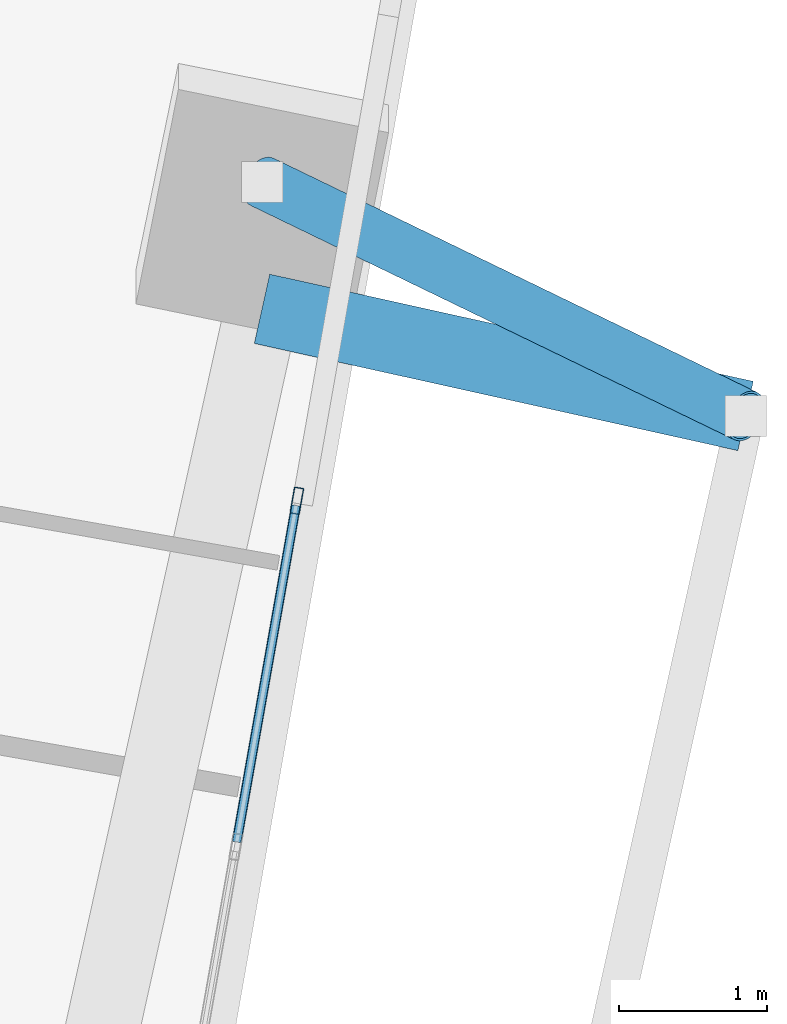
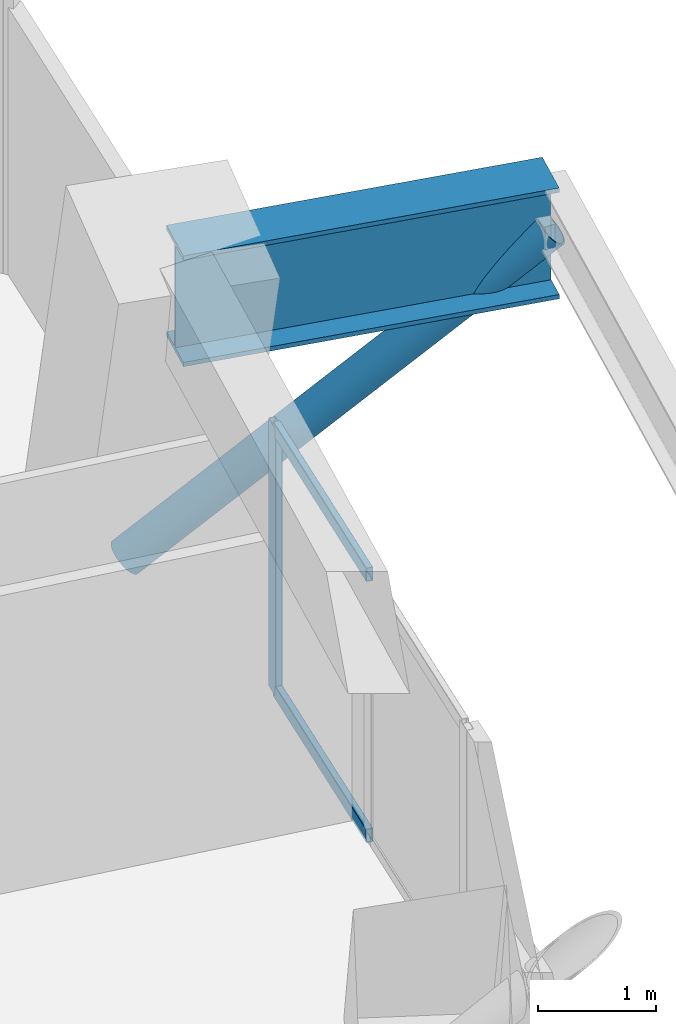
# One storey, part 12 of 24: 4 members, 1 beam, 1 element without a shape of its own.
"""IFC4 building model written with IfcOpenShell, lengths in metres."""

from ifc_helpers import new_model, si_unit, direction, frame, origin, origin_2d, place, context, subcontext, project, spatial, hollow_rectangle, hollow_circle, i_section, extrude, source, transform, mapped, material, material_profile, profile_set, type_object, element, aggregate, save


model = new_model("IFC4")

# Units and contexts
model_context = context("Model", 3, precision=1e-05, world=origin(), true_north=direction((0.0, 1.0)))
body_context = subcontext(model_context, "Body", "Model", "MODEL_VIEW")
ifc_project = project(units=[si_unit("LENGTHUNIT", "METRE"), si_unit("AREAUNIT", "SQUARE_METRE"), si_unit("VOLUMEUNIT", "CUBIC_METRE"), si_unit("PLANEANGLEUNIT", "RADIAN"), si_unit("MASSUNIT", "GRAM", prefix="KILO")], contexts=[model_context])

# Site, building, storey
site_placement = place(None, origin())
site = spatial("IfcSite", under=ifc_project, at=site_placement, CompositionType="ELEMENT")
building_placement = place(site_placement, origin())
building = spatial("IfcBuilding", under=site, at=building_placement, Name="Torre Montelarca", CompositionType="ELEMENT")
storey_placement = place(building_placement, frame((0.0, 0.0, 83.199951171875)))
storey = spatial("IfcBuildingStorey", under=building, at=storey_placement, Name="L18", CompositionType="ELEMENT", Elevation=83.199951171875)

# Member
ifc_material_1 = material(Name="Steel ASTM A500 Grade C", Category="steel")
ifc_material_profile_1 = material_profile(ifc_material_1, hollow_circle(Radius=0.177734375, WallThickness=0.015869140625, at=origin_2d()), Name="HSS355.6X15.9", Category="steel")
ifc_profile_set_1 = profile_set([ifc_material_profile_1], Name="Steel ASTM A500 Grade C")
member_type_1 = type_object("IfcMemberType", Name="MB-BR-CHS356-EXT", PredefinedType="BRACE", material=ifc_profile_set_1)
shared_shape_1 = source(origin(), body_context, "Body", "SweptSolid", [
    extrude(hollow_circle(Radius=0.177734375, WallThickness=0.015869140625, at=origin_2d()), origin(), (0.0, 0.0, 1.0), 4.863525390625),
])
member_1_placement = place(storey_placement, frame((60.821044921875, 32.335205078125, 0.150146484375), z_axis=(0.672068086146, -0.325441993015, 0.665140584212), x_axis=(0.435829758215, 0.900029122781, 0.0)))
element("IfcMember", 1, at=member_1_placement, inside=storey, type_object=member_type_1, Name="L19 Sliding Tray Exterior Diagonal Raker Strut E3", PredefinedType="BRACE", context=body_context, shape_type="MappedRepresentation", body=[
    mapped(shared_shape_1, transform((0.0, 0.0, 0.0), scale=1.0)),
])

# Beam
ifc_material_2 = material(Name="Steel ASTM A572 Grade 50", Category="steel")
ifc_material_profile_2 = material_profile(ifc_material_2, i_section(OverallWidth=0.47998046875, OverallDepth=1.14990234375, WebThickness=0.02197265625, FlangeThickness=0.044921875, at=origin_2d()), Name="PG1150X480X22X45", Category="steel")
ifc_profile_set_2 = profile_set([ifc_material_profile_2], Name="Steel ASTM A572 Grade 50")
beam_type = type_object("IfcBeamType", Name="BM-CG-PG1400-EXT", PredefinedType="USERDEFINED", material=ifc_profile_set_2)
shared_shape_2 = source(origin(), body_context, "Body", "SweptSolid", [
    extrude(i_section(OverallWidth=0.47998046875, OverallDepth=1.14990234375, WebThickness=0.02197265625, FlangeThickness=0.044921875, at=origin_2d()), origin(), (0.0, 0.0, 1.0), 3.35009765625),
])
beam_placement = place(storey_placement, frame((60.81884765625, 31.477294921875, 3.385009765625), z_axis=(0.976312071929, -0.216367137535, 0.0), x_axis=(0.216367137535, 0.976312071929, 0.0)))
element("IfcBeam", 2, at=beam_placement, inside=storey, type_object=beam_type, Name="L18 Sliding Tray Cantilever Girder East Y=40m (FLR)", ObjectType="CANTILEVER GIRDER", PredefinedType="USERDEFINED", context=body_context, shape_type="MappedRepresentation", body=[
    mapped(shared_shape_2, transform((0.0, 0.0, 0.0), scale=1.0)),
])

# Curtain wall, members
ifc_material_3 = material(Name="Insulated low-E laminated glass", Category="glass")
curtain_wall_type = type_object("IfcCurtainWallType", Name="CW-SYS-Z1", PredefinedType="USERDEFINED", material=ifc_material_3)
curtain_wall_placement = place(storey_placement, origin())
curtain_wall = element("IfcCurtainWall", 3, at=curtain_wall_placement, inside=storey, type_object=curtain_wall_type, Name="L18 Curtain Wall Run CW-T3-L18-E06-B2", ObjectType="UNITISED GLAZING", PredefinedType="USERDEFINED")
ifc_material_4 = material(Name="Anodised aluminium AA 6063-T6", Category="aluminium")
ifc_material_profile_3 = material_profile(ifc_material_4, hollow_rectangle(XDim=0.06494140625, YDim=0.139892578125, WallThickness=0.00390625, InnerFilletRadius=0.00390625, OuterFilletRadius=0.008056640625, at=origin_2d()), Name="ALU65X140X4", Category="aluminium")
ifc_profile_set_3 = profile_set([ifc_material_profile_3], Name="Anodised aluminium AA 6063-T6")
member_type_2 = type_object("IfcMemberType", Name="CWT-ALU140", PredefinedType="USERDEFINED", material=ifc_profile_set_3)
shared_shape_3 = source(origin(), body_context, "Body", "SweptSolid", [
    extrude(hollow_rectangle(XDim=0.06494140625, YDim=0.139892578125, WallThickness=0.00390625, InnerFilletRadius=0.00390625, OuterFilletRadius=0.008056640625, at=origin_2d()), origin(), (0.0, 0.0, 1.0), 2.3115234375),
])
member_2_placement = place(storey_placement, frame((60.647705078125, 27.870849609375, 0.032470703125), z_axis=(0.173640723585, 0.984809067339, 0.0), x_axis=(-0.984809067339, 0.173640723585, 0.0)))
member_2 = element("IfcMember", 4, at=member_2_placement, type_object=member_type_2, Name="CW transom 2.1", ObjectType="TRANSOM", PredefinedType="USERDEFINED", context=body_context, shape_type="MappedRepresentation", body=[
    mapped(shared_shape_3, transform((0.0, 0.0, 0.0), scale=1.0)),
])
member_3_placement = place(storey_placement, frame((60.647705078125, 27.870849609375, 2.742431640625), z_axis=(0.173640723585, 0.984809067339, 0.0), x_axis=(-0.984809067339, 0.173640723585, 0.0)))
member_3 = element("IfcMember", 5, at=member_3_placement, type_object=member_type_2, Name="CW transom 2.2", ObjectType="TRANSOM", PredefinedType="USERDEFINED", context=body_context, shape_type="MappedRepresentation", body=[
    mapped(shared_shape_3, transform((0.0, 0.0, 0.0), scale=1.0)),
])
ifc_material_profile_4 = material_profile(ifc_material_4, hollow_rectangle(XDim=0.06494140625, YDim=0.179931640625, WallThickness=0.00390625, InnerFilletRadius=0.00390625, OuterFilletRadius=0.008056640625, at=origin_2d()), Name="ALU65X180X4", Category="aluminium")
ifc_profile_set_4 = profile_set([ifc_material_profile_4], Name="Anodised aluminium AA 6063-T6")
member_type_3 = type_object("IfcMemberType", Name="CWM-ALU180", PredefinedType="MULLION", material=ifc_profile_set_4)
shared_shape_4 = source(origin(), body_context, "Body", "SweptSolid", [
    extrude(hollow_rectangle(XDim=0.06494140625, YDim=0.179931640625, WallThickness=0.00390625, InnerFilletRadius=0.00390625, OuterFilletRadius=0.008056640625, at=origin_2d()), origin(), (0.0, 0.0, 1.0), 2.775146484375),
])
member_4_placement = place(storey_placement, frame((61.0546875, 30.17919921875, 0.0), z_axis=(0.0, 0.0, 1.0), x_axis=(-0.984808414108, 0.173644428366, 0.0)))
member_4 = element("IfcMember", 6, at=member_4_placement, type_object=member_type_3, Name="CW mullion 3", PredefinedType="MULLION", context=body_context, shape_type="MappedRepresentation", body=[
    mapped(shared_shape_4, transform((0.0, 0.0, 0.0), scale=1.0)),
])
aggregate(curtain_wall, [member_4, member_2, member_3])

save(model, "model.ifc")
